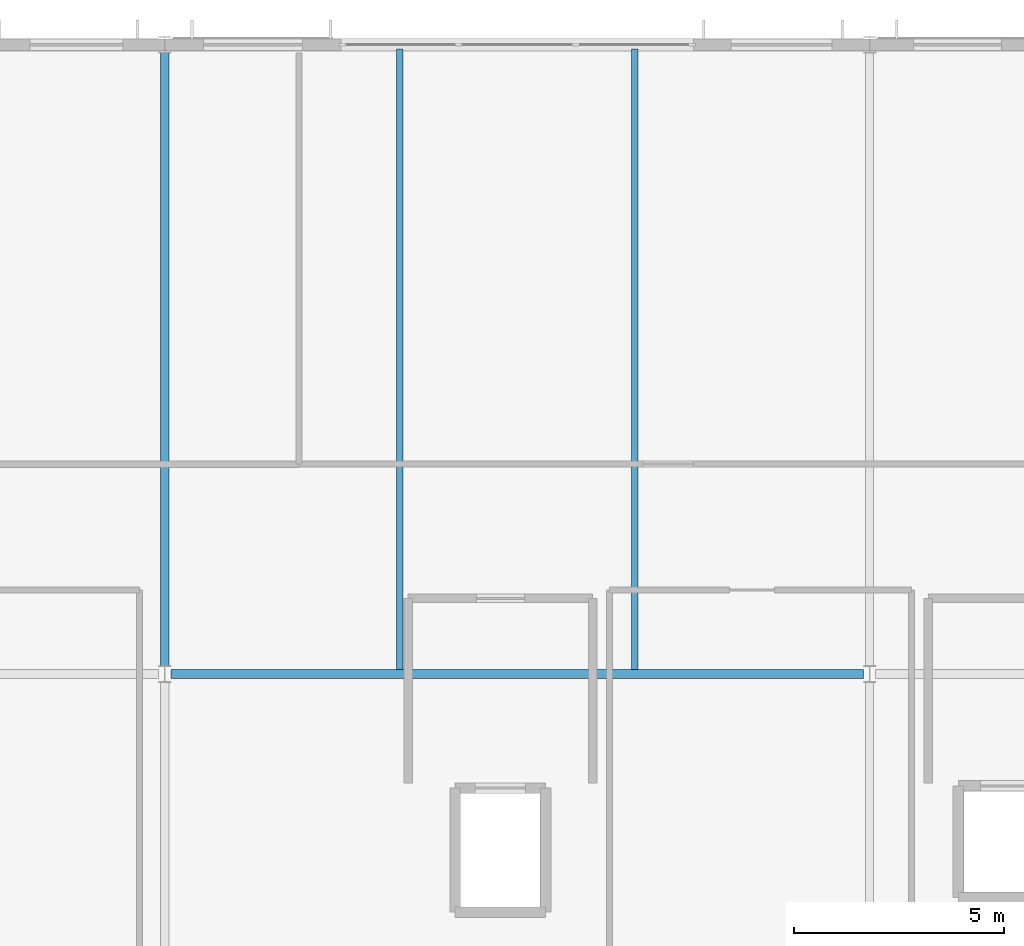
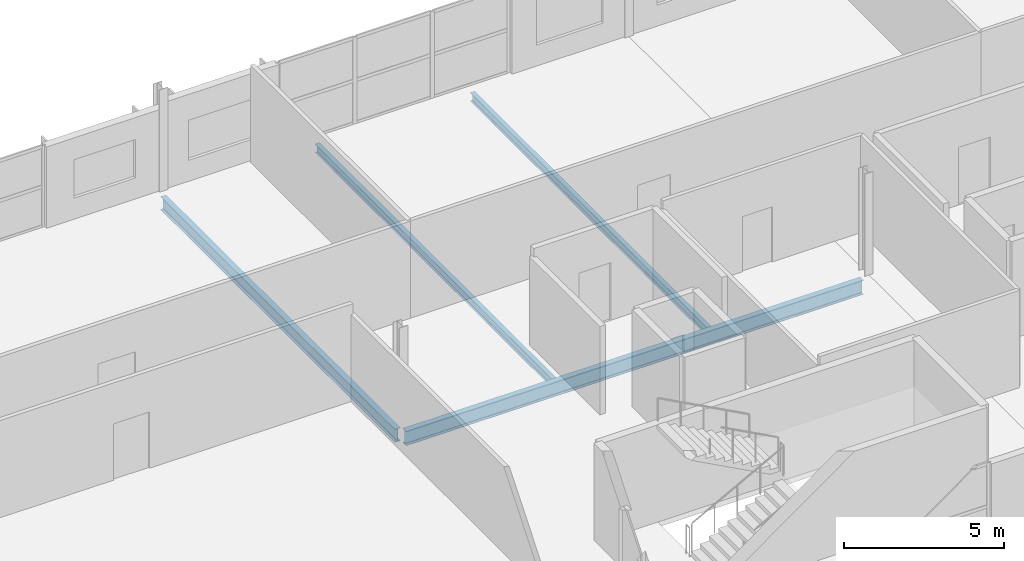
# One storey, part 13 of 36: 4 beams.
"""IFC4 building model written with IfcOpenShell, lengths in metres."""

from ifc_helpers import new_model, si_unit, direction, frame, origin, origin_2d, place, context, subcontext, project, spatial, i_section, extrude, material, material_profile, profile_set, type_object, element, save


model = new_model("IFC4")

# Units and contexts
model_context = context("Model", 3, precision=1e-05, world=origin(), true_north=direction((0.0, 1.0)))
body_context = subcontext(model_context, "Body", "Model", "MODEL_VIEW")
ifc_project = project(units=[si_unit("LENGTHUNIT", "METRE"), si_unit("AREAUNIT", "SQUARE_METRE"), si_unit("VOLUMEUNIT", "CUBIC_METRE"), si_unit("PLANEANGLEUNIT", "RADIAN"), si_unit("MASSUNIT", "GRAM", prefix="KILO")], contexts=[model_context])

# Site, building, storey
site_placement = place(None, origin())
site = spatial("IfcSite", under=ifc_project, at=site_placement, CompositionType="ELEMENT")
building_placement = place(site_placement, origin())
building = spatial("IfcBuilding", under=site, at=building_placement, Name="Kimbaza Rail Terminus", CompositionType="ELEMENT")
storey_placement = place(building_placement, frame((0.0, 0.0, 21.0)))
storey = spatial("IfcBuildingStorey", under=building, at=storey_placement, Name="L04", CompositionType="ELEMENT", Elevation=21.0)

# Beams
ifc_material_1 = material(Name="Steel S355", Category="steel")
ifc_material_profile_1 = material_profile(ifc_material_1, i_section(OverallWidth=0.159912109375, OverallDepth=0.330078125, WebThickness=0.007568359375, FlangeThickness=0.011474609375, FilletRadius=0.01806640625, at=origin_2d()), Name="IPE 330")
ifc_profile_set_1 = profile_set([ifc_material_profile_1], Name="Steel S355")
beam_type_1 = type_object("IfcBeamType", Name="STR-BM-IPE330", PredefinedType="JOIST", material=ifc_profile_set_1)
for number, where, z_axis, x_axis, name in (
    (1, (77.60009765625, 118.10009765625, -0.364990234375), (0.0, 1.0, 0.0), (-1.0, 0.0, 0.0), "Operations Secondary Joist L04"),
    (2, (83.199951171875, 118.10009765625, -0.364990234375), (0.0, 1.0, 0.0), (-1.0, 0.0, 0.0), "Operations Secondary Joist L04"),
):
    element("IfcBeam", number, at=place(storey_placement, frame(where, z_axis=z_axis, x_axis=x_axis)), inside=storey, type_object=beam_type_1, Name=name, PredefinedType="JOIST", context=body_context, shape_type="SweptSolid", body=[
        extrude(i_section(OverallWidth=0.159912109375, OverallDepth=0.330078125, WebThickness=0.007568359375, FlangeThickness=0.011474609375, FilletRadius=0.01806640625, at=origin_2d()), origin(), (0.0, 0.0, 1.0), 14.7998046875),
    ])
ifc_material_2 = material(Name="Steel S355", Category="steel")
ifc_material_profile_2 = material_profile(ifc_material_2, i_section(OverallWidth=0.199951171875, OverallDepth=0.5, WebThickness=0.01025390625, FlangeThickness=0.01611328125, FilletRadius=0.02099609375, at=origin_2d()), Name="IPE 500")
ifc_profile_set_2 = profile_set([ifc_material_profile_2], Name="Steel S355")
beam_type_2 = type_object("IfcBeamType", Name="STR-BM-IPE500", PredefinedType="BEAM", material=ifc_profile_set_2)
beam_1_placement = place(storey_placement, frame((72.0, 118.175048828125, -0.449951171875), z_axis=(0.0, 1.0, 0.0), x_axis=(-1.0, 0.0, 0.0)))
element("IfcBeam", 3, at=beam_1_placement, inside=storey, type_object=beam_type_2, Name="Operations Cross Girder L04 X1-Y1", PredefinedType="BEAM", context=body_context, shape_type="SweptSolid", body=[
    extrude(i_section(OverallWidth=0.199951171875, OverallDepth=0.5, WebThickness=0.01025390625, FlangeThickness=0.01611328125, FilletRadius=0.02099609375, at=origin_2d()), origin(), (0.0, 0.0, 1.0), 14.64990234375),
])
ifc_material_3 = material(Name="Steel S355", Category="steel")
ifc_material_profile_3 = material_profile(ifc_material_3, i_section(OverallWidth=0.2099609375, OverallDepth=0.550048828125, WebThickness=0.010986328125, FlangeThickness=0.01708984375, FilletRadius=0.02392578125, at=origin_2d()), Name="IPE 550")
ifc_profile_set_3 = profile_set([ifc_material_profile_3], Name="Steel S355")
beam_type_3 = type_object("IfcBeamType", Name="STR-BM-IPE550", PredefinedType="BEAM", material=ifc_profile_set_3)
beam_2_placement = place(storey_placement, frame((72.14599609375, 118.0, -0.47509765625), z_axis=(1.0, 0.0, 0.0), x_axis=(0.0, 1.0, 0.0)))
element("IfcBeam", 4, at=beam_2_placement, inside=storey, type_object=beam_type_3, Name="Operations Girder L04 X1-Y1", PredefinedType="BEAM", context=body_context, shape_type="SweptSolid", body=[
    extrude(i_section(OverallWidth=0.2099609375, OverallDepth=0.550048828125, WebThickness=0.010986328125, FlangeThickness=0.01708984375, FilletRadius=0.02392578125, at=origin_2d()), origin(), (0.0, 0.0, 1.0), 16.508056640625),
])

save(model, "model.ifc")
